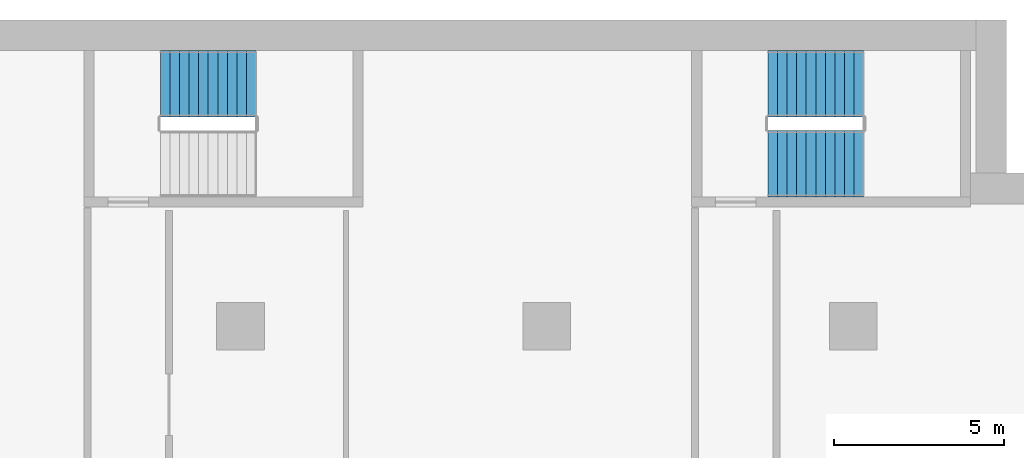
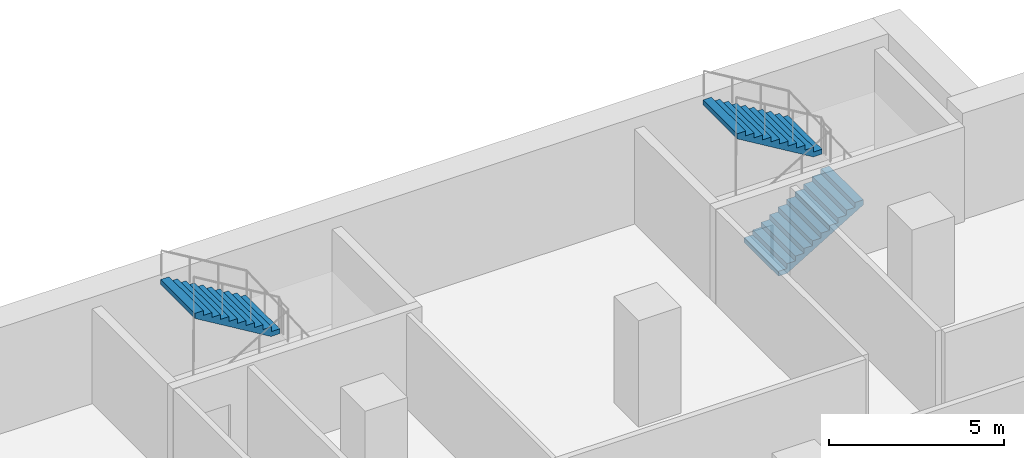
# One storey, part 22 of 28: 3 stair flights, 2 elements without a shape of their own.
"""IFC4 building model written with IfcOpenShell, lengths in metres."""

from ifc_helpers import new_model, si_unit, direction, frame, origin, place, context, subcontext, project, spatial, polyline, outline, extrude, material, type_object, element, aggregate, save


model = new_model("IFC4")

# Units and contexts
model_context = context("Model", 3, precision=1e-05, world=origin(), true_north=direction((0.0, 1.0)))
body_context = subcontext(model_context, "Body", "Model", "MODEL_VIEW")
ifc_project = project(units=[si_unit("LENGTHUNIT", "METRE"), si_unit("AREAUNIT", "SQUARE_METRE"), si_unit("VOLUMEUNIT", "CUBIC_METRE"), si_unit("PLANEANGLEUNIT", "RADIAN"), si_unit("MASSUNIT", "GRAM", prefix="KILO")], contexts=[model_context])

# Site, building, storey
site_placement = place(None, origin())
site = spatial("IfcSite", under=ifc_project, at=site_placement, CompositionType="ELEMENT")
building_placement = place(site_placement, origin())
building = spatial("IfcBuilding", under=site, at=building_placement, Name="Hunhe Ridgeline Campus", CompositionType="ELEMENT")
storey_placement = place(building_placement, frame((0.0, 0.0, 58.0)))
storey = spatial("IfcBuildingStorey", under=building, at=storey_placement, Name="L13", CompositionType="ELEMENT", Elevation=58.0)

# Stair, stair flight
ifc_material = material(Name="Concrete C40", Category="concrete")
stair_type = type_object("IfcStairType", Name="Reinforced concrete dog-leg stair 1950 Concrete C40", PredefinedType="HALF_TURN_STAIR", material=ifc_material)
stair_1_placement = place(storey_placement, origin())
stair_1 = element("IfcStair", 1, at=stair_1_placement, inside=storey, type_object=stair_type, Name="L13 E3", PredefinedType="HALF_TURN_STAIR")
stair_flight_type = type_object("IfcStairFlightType", Name="Reinforced concrete stair flight 1950 Concrete C40", PredefinedType="STRAIGHT", material=ifc_material)
stair_flight_1_placement = place(storey_placement, frame((72.449951171875, 97.125, 1.85009765625), z_axis=(0.0, 0.0, 1.0), x_axis=(-1.0, 0.0, 0.0)))
stair_flight_1 = element("IfcStairFlight", 2, at=stair_flight_1_placement, type_object=stair_flight_type, Name="ST7 flight 2", NumberOfRisers=11, NumberOfTreads=10, PredefinedType="STRAIGHT", RiserHeight=0.168181818, TreadLength=0.28, context=body_context, shape_type="SweptSolid", body=[
    extrude(outline(polyline([(0.0, 0.0), (0.0, 0.168212890625), (0.280029296875, 0.168212890625), (0.280029296875, 0.33642578125), (0.56005859375, 0.33642578125), (0.56005859375, 0.504638671875), (0.840087890625, 0.504638671875), (0.840087890625, 0.672607421875), (1.1201171875, 0.672607421875), (1.1201171875, 0.8408203125), (1.39990234375, 0.8408203125), (1.39990234375, 1.009033203125), (1.679931640625, 1.009033203125), (1.679931640625, 1.17724609375), (1.9599609375, 1.17724609375), (1.9599609375, 1.345458984375), (2.239990234375, 1.345458984375), (2.239990234375, 1.513671875), (2.52001953125, 1.513671875), (2.52001953125, 1.681884765625), (2.800048828125, 1.681884765625), (2.800048828125, 1.85009765625), (2.800048828125, 1.5068359375), (0.291015625, 0.0), (0.0, 0.0)])), frame((0.0, 0.97509765625, 0.0), z_axis=(0.0, -1.0, 0.0), x_axis=(1.0, 0.0, 0.0)), (0.0, 0.0, 1.0), 1.949951171875),
    extrude(outline(polyline([(0.030029296875, 0.030029296875), (0.030029296875, 0.13818359375), (0.31005859375, 0.13818359375), (0.31005859375, 0.306396484375), (0.590087890625, 0.306396484375), (0.590087890625, 0.474609375), (0.8701171875, 0.474609375), (0.8701171875, 0.642578125), (1.14990234375, 0.642578125), (1.14990234375, 0.810791015625), (1.429931640625, 0.810791015625), (1.429931640625, 0.97900390625), (1.7099609375, 0.97900390625), (1.7099609375, 1.147216796875), (1.989990234375, 1.147216796875), (1.989990234375, 1.3154296875), (2.27001953125, 1.3154296875), (2.27001953125, 1.483642578125), (2.550048828125, 1.483642578125), (2.550048828125, 1.65185546875), (2.77001953125, 1.65185546875), (2.77001953125, 1.52392578125), (0.28271484375, 0.030029296875), (0.030029296875, 0.030029296875)])), frame((0.0, -0.070068359375, 0.0), z_axis=(0.0, -1.0, 0.0), x_axis=(1.0, 0.0, 0.0)), (0.0, 0.0, 1.0), 0.019775390625),
    extrude(outline(polyline([(0.030029296875, 0.030029296875), (0.030029296875, 0.13818359375), (0.31005859375, 0.13818359375), (0.31005859375, 0.306396484375), (0.590087890625, 0.306396484375), (0.590087890625, 0.474609375), (0.8701171875, 0.474609375), (0.8701171875, 0.642578125), (1.14990234375, 0.642578125), (1.14990234375, 0.810791015625), (1.429931640625, 0.810791015625), (1.429931640625, 0.97900390625), (1.7099609375, 0.97900390625), (1.7099609375, 1.147216796875), (1.989990234375, 1.147216796875), (1.989990234375, 1.3154296875), (2.27001953125, 1.3154296875), (2.27001953125, 1.483642578125), (2.550048828125, 1.483642578125), (2.550048828125, 1.65185546875), (2.77001953125, 1.65185546875), (2.77001953125, 1.52392578125), (0.28271484375, 0.030029296875), (0.030029296875, 0.030029296875)])), frame((0.0, 0.010009765625, 0.0), z_axis=(0.0, -1.0, 0.0), x_axis=(1.0, 0.0, 0.0)), (0.0, 0.0, 1.0), 0.019775390625),
    extrude(outline(polyline([(0.030029296875, 0.030029296875), (0.030029296875, 0.13818359375), (0.31005859375, 0.13818359375), (0.31005859375, 0.306396484375), (0.590087890625, 0.306396484375), (0.590087890625, 0.474609375), (0.8701171875, 0.474609375), (0.8701171875, 0.642578125), (1.14990234375, 0.642578125), (1.14990234375, 0.810791015625), (1.429931640625, 0.810791015625), (1.429931640625, 0.97900390625), (1.7099609375, 0.97900390625), (1.7099609375, 1.147216796875), (1.989990234375, 1.147216796875), (1.989990234375, 1.3154296875), (2.27001953125, 1.3154296875), (2.27001953125, 1.483642578125), (2.550048828125, 1.483642578125), (2.550048828125, 1.65185546875), (2.77001953125, 1.65185546875), (2.77001953125, 1.52392578125), (0.28271484375, 0.030029296875), (0.030029296875, 0.030029296875)])), frame((0.0, 0.090087890625, 0.0), z_axis=(0.0, -1.0, 0.0), x_axis=(1.0, 0.0, 0.0)), (0.0, 0.0, 1.0), 0.019775390625),
])
aggregate(stair_1, [stair_flight_1])

# Stair, stair flights
stair_2_placement = place(storey_placement, origin())
stair_2 = element("IfcStair", 3, at=stair_2_placement, inside=storey, type_object=stair_type, Name="L13 E4", PredefinedType="HALF_TURN_STAIR")
stair_flight_2_placement = place(storey_placement, frame((87.5, 94.77490234375, 0.0), z_axis=(0.0, 0.0, 1.0), x_axis=(1.0, 0.0, 0.0)))
stair_flight_2 = element("IfcStairFlight", 4, at=stair_flight_2_placement, type_object=stair_flight_type, Name="ST8 flight 1", NumberOfRisers=11, NumberOfTreads=10, PredefinedType="STRAIGHT", RiserHeight=0.168181818, TreadLength=0.28, context=body_context, shape_type="SweptSolid", body=[
    extrude(outline(polyline([(0.0, 0.0), (0.0, 0.168212890625), (0.280029296875, 0.168212890625), (0.280029296875, 0.33642578125), (0.56005859375, 0.33642578125), (0.56005859375, 0.504638671875), (0.840087890625, 0.504638671875), (0.840087890625, 0.672607421875), (1.1201171875, 0.672607421875), (1.1201171875, 0.8408203125), (1.39990234375, 0.8408203125), (1.39990234375, 1.009033203125), (1.679931640625, 1.009033203125), (1.679931640625, 1.17724609375), (1.9599609375, 1.17724609375), (1.9599609375, 1.345458984375), (2.239990234375, 1.345458984375), (2.239990234375, 1.513671875), (2.52001953125, 1.513671875), (2.52001953125, 1.681884765625), (2.800048828125, 1.681884765625), (2.800048828125, 1.85009765625), (2.800048828125, 1.5068359375), (0.291015625, 0.0), (0.0, 0.0)])), frame((0.0, 0.97509765625, 0.0), z_axis=(0.0, -1.0, 0.0), x_axis=(1.0, 0.0, 0.0)), (0.0, 0.0, 1.0), 1.949951171875),
    extrude(outline(polyline([(0.030029296875, 0.030029296875), (0.030029296875, 0.13818359375), (0.31005859375, 0.13818359375), (0.31005859375, 0.306396484375), (0.590087890625, 0.306396484375), (0.590087890625, 0.474609375), (0.8701171875, 0.474609375), (0.8701171875, 0.642578125), (1.14990234375, 0.642578125), (1.14990234375, 0.810791015625), (1.429931640625, 0.810791015625), (1.429931640625, 0.97900390625), (1.7099609375, 0.97900390625), (1.7099609375, 1.147216796875), (1.989990234375, 1.147216796875), (1.989990234375, 1.3154296875), (2.27001953125, 1.3154296875), (2.27001953125, 1.483642578125), (2.550048828125, 1.483642578125), (2.550048828125, 1.65185546875), (2.77001953125, 1.65185546875), (2.77001953125, 1.52392578125), (0.28271484375, 0.030029296875), (0.030029296875, 0.030029296875)])), frame((0.0, -0.070068359375, 0.0), z_axis=(0.0, -1.0, 0.0), x_axis=(1.0, 0.0, 0.0)), (0.0, 0.0, 1.0), 0.019775390625),
    extrude(outline(polyline([(0.030029296875, 0.030029296875), (0.030029296875, 0.13818359375), (0.31005859375, 0.13818359375), (0.31005859375, 0.306396484375), (0.590087890625, 0.306396484375), (0.590087890625, 0.474609375), (0.8701171875, 0.474609375), (0.8701171875, 0.642578125), (1.14990234375, 0.642578125), (1.14990234375, 0.810791015625), (1.429931640625, 0.810791015625), (1.429931640625, 0.97900390625), (1.7099609375, 0.97900390625), (1.7099609375, 1.147216796875), (1.989990234375, 1.147216796875), (1.989990234375, 1.3154296875), (2.27001953125, 1.3154296875), (2.27001953125, 1.483642578125), (2.550048828125, 1.483642578125), (2.550048828125, 1.65185546875), (2.77001953125, 1.65185546875), (2.77001953125, 1.52392578125), (0.28271484375, 0.030029296875), (0.030029296875, 0.030029296875)])), frame((0.0, 0.010009765625, 0.0), z_axis=(0.0, -1.0, 0.0), x_axis=(1.0, 0.0, 0.0)), (0.0, 0.0, 1.0), 0.019775390625),
    extrude(outline(polyline([(0.030029296875, 0.030029296875), (0.030029296875, 0.13818359375), (0.31005859375, 0.13818359375), (0.31005859375, 0.306396484375), (0.590087890625, 0.306396484375), (0.590087890625, 0.474609375), (0.8701171875, 0.474609375), (0.8701171875, 0.642578125), (1.14990234375, 0.642578125), (1.14990234375, 0.810791015625), (1.429931640625, 0.810791015625), (1.429931640625, 0.97900390625), (1.7099609375, 0.97900390625), (1.7099609375, 1.147216796875), (1.989990234375, 1.147216796875), (1.989990234375, 1.3154296875), (2.27001953125, 1.3154296875), (2.27001953125, 1.483642578125), (2.550048828125, 1.483642578125), (2.550048828125, 1.65185546875), (2.77001953125, 1.65185546875), (2.77001953125, 1.52392578125), (0.28271484375, 0.030029296875), (0.030029296875, 0.030029296875)])), frame((0.0, 0.090087890625, 0.0), z_axis=(0.0, -1.0, 0.0), x_axis=(1.0, 0.0, 0.0)), (0.0, 0.0, 1.0), 0.019775390625),
])
stair_flight_3_placement = place(storey_placement, frame((90.300048828125, 97.125, 1.85009765625), z_axis=(0.0, 0.0, 1.0), x_axis=(-1.0, 0.0, 0.0)))
stair_flight_3 = element("IfcStairFlight", 5, at=stair_flight_3_placement, type_object=stair_flight_type, Name="ST8 flight 2", NumberOfRisers=11, NumberOfTreads=10, PredefinedType="STRAIGHT", RiserHeight=0.168181818, TreadLength=0.28, context=body_context, shape_type="SweptSolid", body=[
    extrude(outline(polyline([(0.0, 0.0), (0.0, 0.168212890625), (0.280029296875, 0.168212890625), (0.280029296875, 0.33642578125), (0.56005859375, 0.33642578125), (0.56005859375, 0.504638671875), (0.840087890625, 0.504638671875), (0.840087890625, 0.672607421875), (1.1201171875, 0.672607421875), (1.1201171875, 0.8408203125), (1.39990234375, 0.8408203125), (1.39990234375, 1.009033203125), (1.679931640625, 1.009033203125), (1.679931640625, 1.17724609375), (1.9599609375, 1.17724609375), (1.9599609375, 1.345458984375), (2.239990234375, 1.345458984375), (2.239990234375, 1.513671875), (2.52001953125, 1.513671875), (2.52001953125, 1.681884765625), (2.800048828125, 1.681884765625), (2.800048828125, 1.85009765625), (2.800048828125, 1.5068359375), (0.291015625, 0.0), (0.0, 0.0)])), frame((0.0, 0.97509765625, 0.0), z_axis=(0.0, -1.0, 0.0), x_axis=(1.0, 0.0, 0.0)), (0.0, 0.0, 1.0), 1.949951171875),
    extrude(outline(polyline([(0.030029296875, 0.030029296875), (0.030029296875, 0.13818359375), (0.31005859375, 0.13818359375), (0.31005859375, 0.306396484375), (0.590087890625, 0.306396484375), (0.590087890625, 0.474609375), (0.8701171875, 0.474609375), (0.8701171875, 0.642578125), (1.14990234375, 0.642578125), (1.14990234375, 0.810791015625), (1.429931640625, 0.810791015625), (1.429931640625, 0.97900390625), (1.7099609375, 0.97900390625), (1.7099609375, 1.147216796875), (1.989990234375, 1.147216796875), (1.989990234375, 1.3154296875), (2.27001953125, 1.3154296875), (2.27001953125, 1.483642578125), (2.550048828125, 1.483642578125), (2.550048828125, 1.65185546875), (2.77001953125, 1.65185546875), (2.77001953125, 1.52392578125), (0.28271484375, 0.030029296875), (0.030029296875, 0.030029296875)])), frame((0.0, -0.070068359375, 0.0), z_axis=(0.0, -1.0, 0.0), x_axis=(1.0, 0.0, 0.0)), (0.0, 0.0, 1.0), 0.019775390625),
    extrude(outline(polyline([(0.030029296875, 0.030029296875), (0.030029296875, 0.13818359375), (0.31005859375, 0.13818359375), (0.31005859375, 0.306396484375), (0.590087890625, 0.306396484375), (0.590087890625, 0.474609375), (0.8701171875, 0.474609375), (0.8701171875, 0.642578125), (1.14990234375, 0.642578125), (1.14990234375, 0.810791015625), (1.429931640625, 0.810791015625), (1.429931640625, 0.97900390625), (1.7099609375, 0.97900390625), (1.7099609375, 1.147216796875), (1.989990234375, 1.147216796875), (1.989990234375, 1.3154296875), (2.27001953125, 1.3154296875), (2.27001953125, 1.483642578125), (2.550048828125, 1.483642578125), (2.550048828125, 1.65185546875), (2.77001953125, 1.65185546875), (2.77001953125, 1.52392578125), (0.28271484375, 0.030029296875), (0.030029296875, 0.030029296875)])), frame((0.0, 0.010009765625, 0.0), z_axis=(0.0, -1.0, 0.0), x_axis=(1.0, 0.0, 0.0)), (0.0, 0.0, 1.0), 0.019775390625),
    extrude(outline(polyline([(0.030029296875, 0.030029296875), (0.030029296875, 0.13818359375), (0.31005859375, 0.13818359375), (0.31005859375, 0.306396484375), (0.590087890625, 0.306396484375), (0.590087890625, 0.474609375), (0.8701171875, 0.474609375), (0.8701171875, 0.642578125), (1.14990234375, 0.642578125), (1.14990234375, 0.810791015625), (1.429931640625, 0.810791015625), (1.429931640625, 0.97900390625), (1.7099609375, 0.97900390625), (1.7099609375, 1.147216796875), (1.989990234375, 1.147216796875), (1.989990234375, 1.3154296875), (2.27001953125, 1.3154296875), (2.27001953125, 1.483642578125), (2.550048828125, 1.483642578125), (2.550048828125, 1.65185546875), (2.77001953125, 1.65185546875), (2.77001953125, 1.52392578125), (0.28271484375, 0.030029296875), (0.030029296875, 0.030029296875)])), frame((0.0, 0.090087890625, 0.0), z_axis=(0.0, -1.0, 0.0), x_axis=(1.0, 0.0, 0.0)), (0.0, 0.0, 1.0), 0.019775390625),
])
aggregate(stair_2, [stair_flight_2, stair_flight_3])

save(model, "model.ifc")
